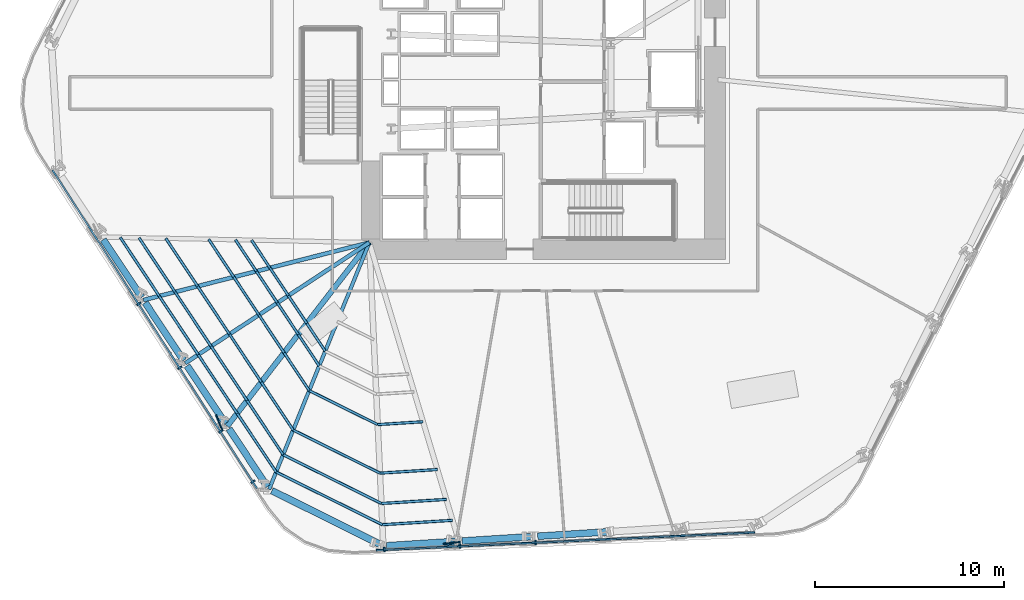
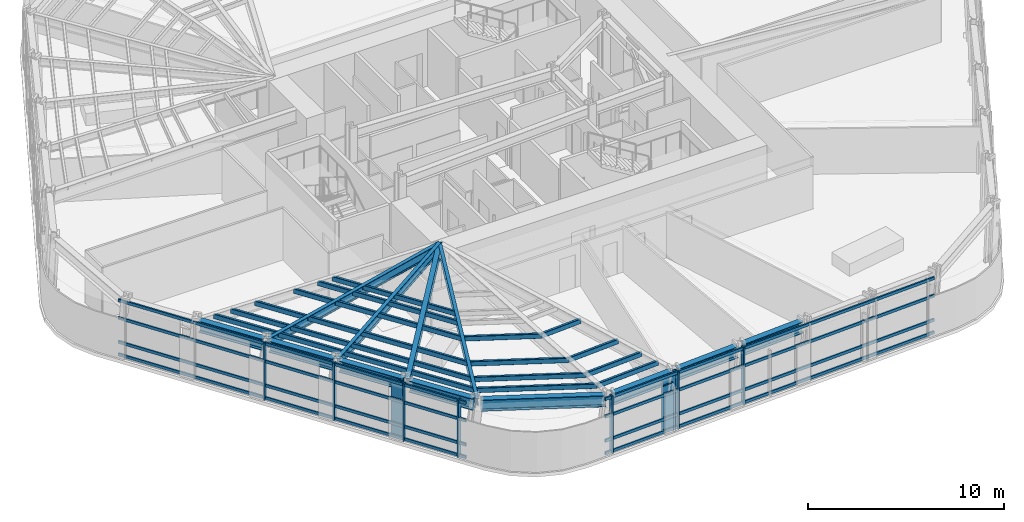
# One storey, part 2 of 15: 49 members, 12 beams, 2 elements without a shape of their own.
"""IFC4 building model written with IfcOpenShell, lengths in metres."""

from ifc_helpers import new_model, si_unit, direction, frame, origin, origin_2d, place, context, subcontext, project, spatial, rectangle, hollow_rectangle, i_section, extrude, material, layer, layer_set, material_profile, profile_set, type_object, element, aggregate, save


model = new_model("IFC4")

# Units and contexts
model_context = context("Model", 3, precision=1e-05, world=origin(), true_north=direction((0.0, 1.0)))
body_context = subcontext(model_context, "Body", "Model", "MODEL_VIEW")
ifc_project = project(units=[si_unit("LENGTHUNIT", "METRE"), si_unit("AREAUNIT", "SQUARE_METRE"), si_unit("VOLUMEUNIT", "CUBIC_METRE"), si_unit("PLANEANGLEUNIT", "RADIAN"), si_unit("MASSUNIT", "GRAM", prefix="KILO")], contexts=[model_context])

# Site, building, storey
site_placement = place(None, origin())
site = spatial("IfcSite", under=ifc_project, at=site_placement, CompositionType="ELEMENT")
building_placement = place(site_placement, origin())
building = spatial("IfcBuilding", under=site, at=building_placement, Name="Valkerne Bourse Tower", CompositionType="ELEMENT")
storey_placement = place(building_placement, frame((0.0, 0.0, 35.39990234375)))
storey = spatial("IfcBuildingStorey", under=building, at=storey_placement, Name="L08", CompositionType="ELEMENT", Elevation=35.39990234375)

# Beams
ifc_material_1 = material(Name="Steel ASTM A992", Category="steel")
ifc_material_profile_1 = material_profile(ifc_material_1, i_section(OverallWidth=0.1904296875, OverallDepth=0.457275390625, WebThickness=0.009033203125, FlangeThickness=0.014404296875, FilletRadius=0.01513671875, at=origin_2d()), Name="W18X50")
ifc_profile_set_1 = profile_set([ifc_material_profile_1], Name="Steel ASTM A992")
beam_type_1 = type_object("IfcBeamType", Name="BM-W18X50", PredefinedType="JOIST", material=ifc_profile_set_1)
beam_1_placement = place(storey_placement, frame((32.311279296875, 5.3798828125, 3.3515625), z_axis=(0.37634256362, 0.92648058523, 0.0), x_axis=(-0.92648058523, 0.37634256362, 0.0)))
element("IfcBeam", 1, at=beam_1_placement, inside=storey, type_object=beam_type_1, Name="L08 Radial Composite Floor Beam 23", PredefinedType="JOIST", context=body_context, shape_type="SweptSolid", body=[
    extrude(i_section(OverallWidth=0.1904296875, OverallDepth=0.457275390625, WebThickness=0.009033203125, FlangeThickness=0.014404296875, FilletRadius=0.01513671875, at=origin_2d()), origin(), (0.0, 0.0, 1.0), 14.05322265625),
])
ifc_material_profile_2 = material_profile(ifc_material_1, i_section(OverallWidth=0.279296875, OverallDepth=0.46240234375, WebThickness=0.0107421875, FlangeThickness=0.017333984375, FilletRadius=0.017822265625, at=origin_2d()), Name="W18X76")
ifc_profile_set_2 = profile_set([ifc_material_profile_2], Name="Steel ASTM A992")
beam_type_2 = type_object("IfcBeamType", Name="BM-W18X76", PredefinedType="BEAM", material=ifc_profile_set_2)
beam_2_placement = place(storey_placement, frame((30.10009765625, 8.708251953125, 3.348876953125), z_axis=(0.6120092399, 0.790850611859, 0.0), x_axis=(-0.790850611859, 0.6120092399, 0.0)))
element("IfcBeam", 2, at=beam_2_placement, inside=storey, type_object=beam_type_2, Name="L08 Radial Composite Floor Beam 22", PredefinedType="BEAM", context=body_context, shape_type="SweptSolid", body=[
    extrude(i_section(OverallWidth=0.279296875, OverallDepth=0.46240234375, WebThickness=0.0107421875, FlangeThickness=0.017333984375, FilletRadius=0.017822265625, at=origin_2d()), origin(), (0.0, 0.0, 1.0), 12.254638671875),
])
ifc_material_profile_3 = material_profile(ifc_material_1, i_section(OverallWidth=0.209228515625, OverallDepth=0.533447265625, WebThickness=0.01025390625, FlangeThickness=0.015625, FilletRadius=0.017822265625, at=origin_2d()), Name="W21X62")
ifc_profile_set_3 = profile_set([ifc_material_profile_3], Name="Steel ASTM A992")
beam_type_3 = type_object("IfcBeamType", Name="BM-W21X62", PredefinedType="JOIST", material=ifc_profile_set_3)
beam_3_placement = place(storey_placement, frame((27.888671875, 12.03662109375, 3.3134765625), z_axis=(0.836436532374, 0.548063798577, 0.0), x_axis=(-0.548063798577, 0.836436532374, 0.0)))
element("IfcBeam", 3, at=beam_3_placement, inside=storey, type_object=beam_type_3, Name="L08 Radial Composite Floor Beam 21", PredefinedType="JOIST", context=body_context, shape_type="SweptSolid", body=[
    extrude(i_section(OverallWidth=0.209228515625, OverallDepth=0.533447265625, WebThickness=0.01025390625, FlangeThickness=0.015625, FilletRadius=0.017822265625, at=origin_2d()), origin(), (0.0, 0.0, 1.0), 11.610595703125),
])
ifc_material_profile_4 = material_profile(ifc_material_1, i_section(OverallWidth=0.2138671875, OverallDepth=0.548583984375, WebThickness=0.0146484375, FlangeThickness=0.023681640625, FilletRadius=0.017822265625, at=origin_2d()), Name="W21X93")
ifc_profile_set_4 = profile_set([ifc_material_profile_4], Name="Steel ASTM A992")
beam_type_4 = type_object("IfcBeamType", Name="BM-W21X93", PredefinedType="BEAM", material=ifc_profile_set_4)
beam_4_placement = place(storey_placement, frame((25.677490234375, 15.364990234375, 3.305908203125), z_axis=(0.969095880119, 0.246684363382, 0.0), x_axis=(-0.246684363382, 0.969095880119, 0.0)))
element("IfcBeam", 4, at=beam_4_placement, inside=storey, type_object=beam_type_4, Name="L08 Radial Composite Floor Beam 20", PredefinedType="BEAM", context=body_context, shape_type="SweptSolid", body=[
    extrude(i_section(OverallWidth=0.2138671875, OverallDepth=0.548583984375, WebThickness=0.0146484375, FlangeThickness=0.023681640625, FilletRadius=0.017822265625, at=origin_2d()), origin(), (0.0, 0.0, 1.0), 12.302734375),
])
ifc_material_profile_5 = material_profile(ifc_material_1, i_section(OverallWidth=0.358154296875, OverallDepth=0.7060546875, WebThickness=0.018310546875, FlangeThickness=0.0302734375, FilletRadius=0.02294921875, at=origin_2d()), Name="W27X178")
ifc_profile_set_5 = profile_set([ifc_material_profile_5], Name="Steel ASTM A992")
beam_type_5 = type_object("IfcBeamType", Name="BM-W27X178", PredefinedType="SPANDREL", material=ifc_profile_set_5)
for number, where, z_axis, x_axis, name in (
    (5, (23.56005859375, 18.5517578125, 3.22705078125), (0.553389631883, -0.832922514598, 0.0), (0.832922514598, 0.553389631883, 0.0), "L08 Hexagonal Spandrel Ring Beam 19"),
    (6, (25.771484375, 15.223388671875, 3.22705078125), (0.553389631883, -0.832922514598, 0.0), (0.832922514598, 0.553389631883, 0.0), "L08 Hexagonal Spandrel Ring Beam 20"),
    (7, (27.98291015625, 11.89501953125, 3.22705078125), (0.553389631883, -0.832922514598, 0.0), (0.832922514598, 0.553389631883, 0.0), "L08 Hexagonal Spandrel Ring Beam 21"),
    (8, (30.194091796875, 8.566650390625, 3.22705078125), (0.553389631883, -0.832922514598, 0.0), (0.832922514598, 0.553389631883, 0.0), "L08 Hexagonal Spandrel Ring Beam 22"),
):
    element("IfcBeam", number, at=place(storey_placement, frame(where, z_axis=z_axis, x_axis=x_axis)), inside=storey, type_object=beam_type_5, Name=name, PredefinedType="SPANDREL", context=body_context, shape_type="SweptSolid", body=[
        extrude(i_section(OverallWidth=0.358154296875, OverallDepth=0.7060546875, WebThickness=0.018310546875, FlangeThickness=0.0302734375, FilletRadius=0.02294921875, at=origin_2d()), origin(), (0.0, 0.0, 1.0), 3.656005859375),
    ])
beam_5_placement = place(storey_placement, frame((32.463623046875, 5.30419921875, 3.22705078125), z_axis=(0.895707454028, -0.444643853885, 0.0), x_axis=(0.444643853885, 0.895707454028, 0.0)))
element("IfcBeam", 9, at=beam_5_placement, inside=storey, type_object=beam_type_5, Name="L08 Hexagonal Spandrel Ring Beam 23", PredefinedType="SPANDREL", context=body_context, shape_type="SweptSolid", body=[
    extrude(i_section(OverallWidth=0.358154296875, OverallDepth=0.7060546875, WebThickness=0.018310546875, FlangeThickness=0.0302734375, FilletRadius=0.02294921875, at=origin_2d()), origin(), (0.0, 0.0, 1.0), 6.388916015625),
])
for number, where, z_axis, x_axis, name in (
    (10, (38.50830078125, 2.398681640625, 3.22705078125), (0.998027815101, 0.062773244978, 0.0), (-0.062773244978, 0.998027815101, 0.0), "L08 Hexagonal Spandrel Ring Beam 24"),
    (11, (42.49658203125, 2.649658203125, 3.22705078125), (0.998027815101, 0.062773244978, 0.0), (-0.062773244978, 0.998027815101, 0.0), "L08 Hexagonal Spandrel Ring Beam 25"),
    (12, (46.484619140625, 2.900390625, 3.22705078125), (0.998027815101, 0.062773244978, 0.0), (-0.062773244978, 0.998027815101, 0.0), "L08 Hexagonal Spandrel Ring Beam 26"),
):
    element("IfcBeam", number, at=place(storey_placement, frame(where, z_axis=z_axis, x_axis=x_axis)), inside=storey, type_object=beam_type_5, Name=name, PredefinedType="SPANDREL", context=body_context, shape_type="SweptSolid", body=[
        extrude(i_section(OverallWidth=0.358154296875, OverallDepth=0.7060546875, WebThickness=0.018310546875, FlangeThickness=0.0302734375, FilletRadius=0.02294921875, at=origin_2d()), origin(), (0.0, 0.0, 1.0), 3.656005859375),
    ])

# Curtain wall, members
ifc_material_2 = material(Name="Aluminium AA 6063-T6", Category="aluminium")
ifc_layer = layer(ifc_material_2, 0.22509765625)
ifc_layer_set = layer_set([ifc_layer], Name="Aluminium AA 6063-T6")
curtain_wall_type = type_object("IfcCurtainWallType", Name="CW-01", PredefinedType="NOTDEFINED", material=ifc_layer_set)
curtain_wall_1_placement = place(storey_placement, origin())
curtain_wall_1 = element("IfcCurtainWall", 13, at=curtain_wall_1_placement, inside=storey, type_object=curtain_wall_type, Name="L08 Hexagonal Stick Curtain Wall Face 4", PredefinedType="NOTDEFINED")
ifc_material_profile_6 = material_profile(ifc_material_2, rectangle(XDim=0.090087890625, YDim=0.239990234375, at=origin_2d()), Name="CWM-90X240")
ifc_profile_set_6 = profile_set([ifc_material_profile_6], Name="Aluminium AA 6063-T6")
member_type_1 = type_object("IfcMemberType", Name="CW-MUL-240X90", PredefinedType="MULLION", material=ifc_profile_set_6)
member_1_placement = place(storey_placement, frame((25.43798828125, 15.1611328125, 0.0), z_axis=(0.0, 0.0, 1.0), x_axis=(0.540237656625, -0.841512492102, 0.0)))
member_1 = element("IfcMember", 14, at=member_1_placement, type_object=member_type_1, Name="CW-L08-F4 Jamb Mullion 02A", PredefinedType="MULLION", context=body_context, shape_type="SweptSolid", body=[
    extrude(rectangle(XDim=0.090087890625, YDim=0.239990234375, at=origin_2d()), origin(), (0.0, 0.0, 1.0), 3.580078125),
])
member_2_placement = place(storey_placement, frame((27.5966796875, 11.79833984375, 0.0), z_axis=(0.0, 0.0, 1.0), x_axis=(0.540237656625, -0.841512492102, 0.0)))
member_2 = element("IfcMember", 15, at=member_2_placement, type_object=member_type_1, Name="CW-L08-F4 Jamb Mullion 03A", PredefinedType="MULLION", context=body_context, shape_type="SweptSolid", body=[
    extrude(rectangle(XDim=0.090087890625, YDim=0.239990234375, at=origin_2d()), origin(), (0.0, 0.0, 1.0), 3.580078125),
])
member_3_placement = place(storey_placement, frame((29.755615234375, 8.435791015625, 0.0), z_axis=(0.0, 0.0, 1.0), x_axis=(0.540237656625, -0.841512492102, 0.0)))
member_3 = element("IfcMember", 16, at=member_3_placement, type_object=member_type_1, Name="CW-L08-F4 Jamb Mullion 04A", PredefinedType="MULLION", context=body_context, shape_type="SweptSolid", body=[
    extrude(rectangle(XDim=0.090087890625, YDim=0.239990234375, at=origin_2d()), origin(), (0.0, 0.0, 1.0), 3.580078125),
])
member_4_placement = place(storey_placement, frame((31.460693359375, 5.77978515625, 0.0), z_axis=(0.0, 0.0, 1.0), x_axis=(0.540237656625, -0.841512492102, 0.0)))
member_4 = element("IfcMember", 17, at=member_4_placement, type_object=member_type_1, Name="CW-L08-F4 Jamb Mullion 04B", PredefinedType="MULLION", context=body_context, shape_type="SweptSolid", body=[
    extrude(rectangle(XDim=0.090087890625, YDim=0.239990234375, at=origin_2d()), origin(), (0.0, 0.0, 1.0), 3.580078125),
])

curtain_wall_2_placement = place(storey_placement, origin())
curtain_wall_2 = element("IfcCurtainWall", 18, at=curtain_wall_2_placement, inside=storey, type_object=curtain_wall_type, Name="L08 Hexagonal Stick Curtain Wall Face 5", PredefinedType="NOTDEFINED")
member_5_placement = place(storey_placement, frame((38.388671875, 2.2041015625, 0.0), z_axis=(0.0, 0.0, 1.0), x_axis=(0.998890279552, 0.047097870623, 0.0)))
member_5 = element("IfcMember", 19, at=member_5_placement, type_object=member_type_1, Name="CW-L08-F5 Jamb Mullion 00A", PredefinedType="MULLION", context=body_context, shape_type="SweptSolid", body=[
    extrude(rectangle(XDim=0.090087890625, YDim=0.239990234375, at=origin_2d()), origin(), (0.0, 0.0, 1.0), 3.580078125),
])
member_6_placement = place(storey_placement, frame((42.38037109375, 2.392333984375, 0.0), z_axis=(0.0, 0.0, 1.0), x_axis=(0.998889157472, 0.047121662581, 0.0)))
member_6 = element("IfcMember", 20, at=member_6_placement, type_object=member_type_1, Name="CW-L08-F5 Jamb Mullion 01A", PredefinedType="MULLION", context=body_context, shape_type="SweptSolid", body=[
    extrude(rectangle(XDim=0.090087890625, YDim=0.239990234375, at=origin_2d()), origin(), (0.0, 0.0, 1.0), 3.580078125),
])
member_7_placement = place(storey_placement, frame((46.371826171875, 2.58056640625, 0.0), z_axis=(0.0, 0.0, 1.0), x_axis=(0.998890335061, 0.047096693327, 0.0)))
member_7 = element("IfcMember", 21, at=member_7_placement, type_object=member_type_1, Name="CW-L08-F5 Jamb Mullion 02A", PredefinedType="MULLION", context=body_context, shape_type="SweptSolid", body=[
    extrude(rectangle(XDim=0.090087890625, YDim=0.239990234375, at=origin_2d()), origin(), (0.0, 0.0, 1.0), 3.580078125),
])

# Member
ifc_material_profile_7 = material_profile(ifc_material_2, rectangle(XDim=0.090087890625, YDim=0.179931640625, at=origin_2d()), Name="CWT-90X180")
ifc_profile_set_7 = profile_set([ifc_material_profile_7], Name="Aluminium AA 6063-T6")
member_type_2 = type_object("IfcMemberType", Name="CW-TRN-180X90", PredefinedType="USERDEFINED", material=ifc_profile_set_7)
member_8_placement = place(storey_placement, frame((20.876708984375, 22.22900390625, 0.1201171875), z_axis=(0.540236251651, -0.841513394072, 0.0), x_axis=(0.841513394072, 0.540236251651, 0.0)))
member_8 = element("IfcMember", 22, at=member_8_placement, type_object=member_type_2, Name="CW-L08-F4 Continuous Face Transom 1", ObjectType="TRANSOM", PredefinedType="USERDEFINED", context=body_context, shape_type="SweptSolid", body=[
    extrude(rectangle(XDim=0.090087890625, YDim=0.179931640625, at=origin_2d()), origin(), (0.0, 0.0, 1.0), 19.97998046875),
])

member_9_placement = place(storey_placement, frame((20.876708984375, 22.22900390625, 0.900146484375), z_axis=(0.540236251651, -0.841513394072, 0.0), x_axis=(0.841513394072, 0.540236251651, 0.0)))
member_9 = element("IfcMember", 23, at=member_9_placement, type_object=member_type_2, Name="CW-L08-F4 Continuous Face Transom 2", ObjectType="TRANSOM", PredefinedType="USERDEFINED", context=body_context, shape_type="SweptSolid", body=[
    extrude(rectangle(XDim=0.090087890625, YDim=0.179931640625, at=origin_2d()), origin(), (0.0, 0.0, 1.0), 19.97998046875),
])

member_10_placement = place(storey_placement, frame((20.876708984375, 22.22900390625, 2.400146484375), z_axis=(0.540236251651, -0.841513394072, 0.0), x_axis=(0.841513394072, 0.540236251651, 0.0)))
member_10 = element("IfcMember", 24, at=member_10_placement, type_object=member_type_2, Name="CW-L08-F4 Continuous Face Transom 3", ObjectType="TRANSOM", PredefinedType="USERDEFINED", context=body_context, shape_type="SweptSolid", body=[
    extrude(rectangle(XDim=0.090087890625, YDim=0.179931640625, at=origin_2d()), origin(), (0.0, 0.0, 1.0), 19.97998046875),
])

member_11_placement = place(storey_placement, frame((20.876708984375, 22.22900390625, 3.5), z_axis=(0.540236251651, -0.841513394072, 0.0), x_axis=(0.841513394072, 0.540236251651, 0.0)))
member_11 = element("IfcMember", 25, at=member_11_placement, type_object=member_type_2, Name="CW-L08-F4 Continuous Face Transom 4", ObjectType="TRANSOM", PredefinedType="USERDEFINED", context=body_context, shape_type="SweptSolid", body=[
    extrude(rectangle(XDim=0.090087890625, YDim=0.179931640625, at=origin_2d()), origin(), (0.0, 0.0, 1.0), 19.97998046875),
])

aggregate(curtain_wall_1, [member_8, member_9, member_10, member_11, member_1, member_2, member_3, member_4])

member_12_placement = place(storey_placement, frame((37.97021484375, 2.164306640625, 0.1201171875), z_axis=(0.998889927087, 0.047105345382, 0.0), x_axis=(-0.047105345382, 0.998889927087, 0.0)))
member_12 = element("IfcMember", 26, at=member_12_placement, type_object=member_type_2, Name="CW-L08-F5 Continuous Face Transom 1", ObjectType="TRANSOM", PredefinedType="USERDEFINED", context=body_context, shape_type="SweptSolid", body=[
    extrude(rectangle(XDim=0.090087890625, YDim=0.179931640625, at=origin_2d()), origin(), (0.0, 0.0, 1.0), 19.97998046875),
])

member_13_placement = place(storey_placement, frame((37.97021484375, 2.164306640625, 0.900146484375), z_axis=(0.998889927087, 0.047105345382, 0.0), x_axis=(-0.047105345382, 0.998889927087, 0.0)))
member_13 = element("IfcMember", 27, at=member_13_placement, type_object=member_type_2, Name="CW-L08-F5 Continuous Face Transom 2", ObjectType="TRANSOM", PredefinedType="USERDEFINED", context=body_context, shape_type="SweptSolid", body=[
    extrude(rectangle(XDim=0.090087890625, YDim=0.179931640625, at=origin_2d()), origin(), (0.0, 0.0, 1.0), 19.97998046875),
])

member_14_placement = place(storey_placement, frame((37.97021484375, 2.164306640625, 2.400146484375), z_axis=(0.998889927087, 0.047105345382, 0.0), x_axis=(-0.047105345382, 0.998889927087, 0.0)))
member_14 = element("IfcMember", 28, at=member_14_placement, type_object=member_type_2, Name="CW-L08-F5 Continuous Face Transom 3", ObjectType="TRANSOM", PredefinedType="USERDEFINED", context=body_context, shape_type="SweptSolid", body=[
    extrude(rectangle(XDim=0.090087890625, YDim=0.179931640625, at=origin_2d()), origin(), (0.0, 0.0, 1.0), 19.97998046875),
])

member_15_placement = place(storey_placement, frame((37.97021484375, 2.164306640625, 3.5), z_axis=(0.998889927087, 0.047105345382, 0.0), x_axis=(-0.047105345382, 0.998889927087, 0.0)))
member_15 = element("IfcMember", 29, at=member_15_placement, type_object=member_type_2, Name="CW-L08-F5 Continuous Face Transom 4", ObjectType="TRANSOM", PredefinedType="USERDEFINED", context=body_context, shape_type="SweptSolid", body=[
    extrude(rectangle(XDim=0.090087890625, YDim=0.179931640625, at=origin_2d()), origin(), (0.0, 0.0, 1.0), 19.97998046875),
])

aggregate(curtain_wall_2, [member_12, member_13, member_14, member_15, member_5, member_6, member_7])

# Members
ifc_material_3 = material(Name="Bronze Anodised Aluminium AA 6063-T6", Category="aluminium")
ifc_material_profile_8 = material_profile(ifc_material_3, rectangle(XDim=0.070068359375, YDim=0.89990234375, at=origin_2d()), Name="FIN-70X900")
ifc_profile_set_8 = profile_set([ifc_material_profile_8], Name="Bronze Anodised Aluminium AA 6063-T6")
member_type_3 = type_object("IfcMemberType", Name="FIN-SOLAR-900", PredefinedType="USERDEFINED", material=ifc_profile_set_8)
for number, where, z_axis, x_axis, name in (
    (30, (29.68017578125, 8.886474609375, 0.004150390625), (0.0, 0.0, 1.0), (-0.922210455486, -0.386688344525, 0.0), "L08 Bronze Anodised Solar Fin F4-04"),
    (31, (41.9521484375, 2.55224609375, 0.004150390625), (0.0, 0.0, 1.0), (0.108930894367, -0.994049324859, 0.0), "L08 Bronze Anodised Solar Fin F5-01"),
):
    element("IfcMember", number, at=place(storey_placement, frame(where, z_axis=z_axis, x_axis=x_axis)), inside=storey, type_object=member_type_3, Name=name, ObjectType="SOLAR_FIN", PredefinedType="USERDEFINED", context=body_context, shape_type="SweptSolid", body=[
        extrude(rectangle(XDim=0.070068359375, YDim=0.89990234375, at=origin_2d()), origin(), (0.0, 0.0, 1.0), 3.572021484375),
    ])
ifc_material_4 = material(Name="Steel ASTM A500 Grade C", Category="steel")
ifc_material_profile_9 = material_profile(ifc_material_4, hollow_rectangle(XDim=0.14990234375, YDim=0.300048828125, WallThickness=0.012451171875, OuterFilletRadius=0.02490234375, at=origin_2d()), Name="HSS300X150X12.5")
ifc_profile_set_9 = profile_set([ifc_material_profile_9], Name="Steel ASTM A500 Grade C")
member_type_4 = type_object("IfcMemberType", Name="MBR-HSS300X150X12.5", PredefinedType="PURLIN", material=ifc_profile_set_9)
member_16_placement = place(storey_placement, frame((31.381103515625, 18.529052734375, 3.420166015625), z_axis=(0.553385607714, -0.832925188222, 0.0), x_axis=(0.832925188222, 0.553385607714, 0.0)))
element("IfcMember", 32, at=member_16_placement, inside=storey, type_object=member_type_4, Name="L08 Secondary Composite Floor Purlin K-19", PredefinedType="PURLIN", context=body_context, shape_type="SweptSolid", body=[
    extrude(hollow_rectangle(XDim=0.14990234375, YDim=0.300048828125, WallThickness=0.012451171875, OuterFilletRadius=0.02490234375, at=origin_2d()), origin(), (0.0, 0.0, 1.0), 1.758056640625),
])
for number, where, z_axis, x_axis, name in (
    (33, (32.35400390625, 17.064697265625, 3.420166015625), (0.553321605611, -0.832967706916, 0.0), (0.832967706916, 0.553321605611, 0.0), "L08 Secondary Composite Floor Purlin K-20"),
    (34, (33.326904296875, 15.60009765625, 3.420166015625), (0.553481937692, -0.832861179698, 0.0), (0.832861179698, 0.553481937692, 0.0), "L08 Secondary Composite Floor Purlin K-21"),
    (35, (34.300048828125, 14.1357421875, 3.420166015625), (0.553321605611, -0.832967706916, 0.0), (0.832967706916, 0.553321605611, 0.0), "L08 Secondary Composite Floor Purlin K-22"),
):
    element("IfcMember", number, at=place(storey_placement, frame(where, z_axis=z_axis, x_axis=x_axis)), inside=storey, type_object=member_type_4, Name=name, PredefinedType="PURLIN", context=body_context, shape_type="SweptSolid", body=[
        extrude(hollow_rectangle(XDim=0.14990234375, YDim=0.300048828125, WallThickness=0.012451171875, OuterFilletRadius=0.02490234375, at=origin_2d()), origin(), (0.0, 0.0, 1.0), 1.75830078125),
    ])
for number, where, z_axis, x_axis, name in (
    (36, (30.532958984375, 18.546630859375, 3.420166015625), (0.553430581427, -0.832895306471, 0.0), (0.832895306471, 0.553430581427, 0.0), "L08 Secondary Composite Floor Purlin M-19"),
    (37, (31.638671875, 16.882568359375, 3.420166015625), (0.553374259182, -0.832932727941, 0.0), (0.832932727941, 0.553374259182, 0.0), "L08 Secondary Composite Floor Purlin M-20"),
    (38, (32.744384765625, 15.21826171875, 3.420166015625), (0.553430581427, -0.832895306471, 0.0), (0.832895306471, 0.553430581427, 0.0), "L08 Secondary Composite Floor Purlin M-21"),
    (39, (33.85009765625, 13.55419921875, 3.420166015625), (0.553374259182, -0.832932727941, 0.0), (0.832932727941, 0.553374259182, 0.0), "L08 Secondary Composite Floor Purlin M-22"),
):
    element("IfcMember", number, at=place(storey_placement, frame(where, z_axis=z_axis, x_axis=x_axis)), inside=storey, type_object=member_type_4, Name=name, PredefinedType="PURLIN", context=body_context, shape_type="SweptSolid", body=[
        extrude(hollow_rectangle(XDim=0.14990234375, YDim=0.300048828125, WallThickness=0.012451171875, OuterFilletRadius=0.02490234375, at=origin_2d()), origin(), (0.0, 0.0, 1.0), 1.998046875),
    ])
member_17_placement = place(storey_placement, frame((26.858154296875, 18.622802734375, 3.420166015625), z_axis=(0.553437978272, -0.832890391472, 0.0), x_axis=(0.832890391472, 0.553437978272, 0.0)))
element("IfcMember", 40, at=member_17_placement, inside=storey, type_object=member_type_4, Name="L08 Secondary Composite Floor Purlin O-19", PredefinedType="PURLIN", context=body_context, shape_type="SweptSolid", body=[
    extrude(hollow_rectangle(XDim=0.14990234375, YDim=0.300048828125, WallThickness=0.012451171875, OuterFilletRadius=0.02490234375, at=origin_2d()), origin(), (0.0, 0.0, 1.0), 3.036865234375),
])
member_18_placement = place(storey_placement, frame((28.538818359375, 16.093505859375, 3.420166015625), z_axis=(0.553363869506, -0.832939630421, 0.0), x_axis=(0.832939630421, 0.553363869506, 0.0)))
element("IfcMember", 41, at=member_18_placement, inside=storey, type_object=member_type_4, Name="L08 Secondary Composite Floor Purlin O-20", PredefinedType="PURLIN", context=body_context, shape_type="SweptSolid", body=[
    extrude(hollow_rectangle(XDim=0.14990234375, YDim=0.300048828125, WallThickness=0.012451171875, OuterFilletRadius=0.02490234375, at=origin_2d()), origin(), (0.0, 0.0, 1.0), 3.037109375),
])
for number, where, z_axis, x_axis, name in (
    (42, (30.219482421875, 13.563720703125, 3.420166015625), (0.553400921955, -0.832915013419, 0.0), (0.832915013419, 0.553400921955, 0.0), "L08 Secondary Composite Floor Purlin O-21"),
    (43, (31.900146484375, 11.0341796875, 3.420166015625), (0.553400921955, -0.832915013419, 0.0), (0.832915013419, 0.553400921955, 0.0), "L08 Secondary Composite Floor Purlin O-22"),
):
    element("IfcMember", number, at=place(storey_placement, frame(where, z_axis=z_axis, x_axis=x_axis)), inside=storey, type_object=member_type_4, Name=name, PredefinedType="PURLIN", context=body_context, shape_type="SweptSolid", body=[
        extrude(hollow_rectangle(XDim=0.14990234375, YDim=0.300048828125, WallThickness=0.012451171875, OuterFilletRadius=0.02490234375, at=origin_2d()), origin(), (0.0, 0.0, 1.0), 3.036865234375),
    ])
member_19_placement = place(storey_placement, frame((33.580810546875, 8.504638671875, 3.420166015625), z_axis=(0.895702969898, -0.444652886773, 0.0), x_axis=(0.444652886773, 0.895702969898, 0.0)))
element("IfcMember", 44, at=member_19_placement, inside=storey, type_object=member_type_4, Name="L08 Secondary Composite Floor Purlin O-23", PredefinedType="PURLIN", context=body_context, shape_type="SweptSolid", body=[
    extrude(hollow_rectangle(XDim=0.14990234375, YDim=0.300048828125, WallThickness=0.012451171875, OuterFilletRadius=0.02490234375, at=origin_2d()), origin(), (0.0, 0.0, 1.0), 5.114013671875),
])
member_20_placement = place(storey_placement, frame((38.161376953125, 6.230712890625, 3.420166015625), z_axis=(0.998022119267, 0.062863737194, 0.0), x_axis=(-0.062863737194, 0.998022119267, 0.0)))
element("IfcMember", 45, at=member_20_placement, inside=storey, type_object=member_type_4, Name="L08 Secondary Composite Floor Purlin O-24", PredefinedType="PURLIN", context=body_context, shape_type="SweptSolid", body=[
    extrude(hollow_rectangle(XDim=0.14990234375, YDim=0.300048828125, WallThickness=0.012451171875, OuterFilletRadius=0.02490234375, at=origin_2d()), origin(), (0.0, 0.0, 1.0), 3.037109375),
])
member_21_placement = place(storey_placement, frame((29.11962890625, 18.575927734375, 3.420166015625), z_axis=(0.553383452137, -0.832926620358, 0.0), x_axis=(0.832926620358, 0.553383452137, 0.0)))
element("IfcMember", 46, at=member_21_placement, inside=storey, type_object=member_type_4, Name="L08 Secondary Composite Floor Purlin Z-19", PredefinedType="PURLIN", context=body_context, shape_type="SweptSolid", body=[
    extrude(hollow_rectangle(XDim=0.14990234375, YDim=0.300048828125, WallThickness=0.012451171875, OuterFilletRadius=0.02490234375, at=origin_2d()), origin(), (0.0, 0.0, 1.0), 2.3974609375),
])
for number, where, z_axis, x_axis, name in (
    (47, (30.4462890625, 16.5791015625, 3.420166015625), (0.553407160236, -0.83291086858, 0.0), (0.83291086858, 0.553407160236, 0.0), "L08 Secondary Composite Floor Purlin Z-20"),
    (48, (31.773193359375, 14.58203125, 3.420166015625), (0.553407160236, -0.83291086858, 0.0), (0.83291086858, 0.553407160236, 0.0), "L08 Secondary Composite Floor Purlin Z-21"),
):
    element("IfcMember", number, at=place(storey_placement, frame(where, z_axis=z_axis, x_axis=x_axis)), inside=storey, type_object=member_type_4, Name=name, PredefinedType="PURLIN", context=body_context, shape_type="SweptSolid", body=[
        extrude(hollow_rectangle(XDim=0.14990234375, YDim=0.300048828125, WallThickness=0.012451171875, OuterFilletRadius=0.02490234375, at=origin_2d()), origin(), (0.0, 0.0, 1.0), 2.397705078125),
    ])
member_22_placement = place(storey_placement, frame((33.10009765625, 12.5849609375, 3.420166015625), z_axis=(0.553336515633, -0.832957802333, 0.0), x_axis=(0.832957802333, 0.553336515633, 0.0)))
element("IfcMember", 49, at=member_22_placement, inside=storey, type_object=member_type_4, Name="L08 Secondary Composite Floor Purlin Z-22", PredefinedType="PURLIN", context=body_context, shape_type="SweptSolid", body=[
    extrude(hollow_rectangle(XDim=0.14990234375, YDim=0.300048828125, WallThickness=0.012451171875, OuterFilletRadius=0.02490234375, at=origin_2d()), origin(), (0.0, 0.0, 1.0), 2.3974609375),
])
member_23_placement = place(storey_placement, frame((34.4267578125, 10.587890625, 3.420166015625), z_axis=(0.895717469112, -0.444623678551, 0.0), x_axis=(0.444623678551, 0.895717469112, 0.0)))
element("IfcMember", 50, at=member_23_placement, inside=storey, type_object=member_type_4, Name="L08 Secondary Composite Floor Purlin Z-23", PredefinedType="PURLIN", context=body_context, shape_type="SweptSolid", body=[
    extrude(hollow_rectangle(XDim=0.14990234375, YDim=0.300048828125, WallThickness=0.012451171875, OuterFilletRadius=0.02490234375, at=origin_2d()), origin(), (0.0, 0.0, 1.0), 4.03759765625),
])
member_24_placement = place(storey_placement, frame((38.043212890625, 8.792724609375, 3.420166015625), z_axis=(0.998024345287, 0.062828387006, 0.0), x_axis=(-0.062828387006, 0.998024345287, 0.0)))
element("IfcMember", 51, at=member_24_placement, inside=storey, type_object=member_type_4, Name="L08 Secondary Composite Floor Purlin Z-24", PredefinedType="PURLIN", context=body_context, shape_type="SweptSolid", body=[
    extrude(hollow_rectangle(XDim=0.14990234375, YDim=0.300048828125, WallThickness=0.012451171875, OuterFilletRadius=0.02490234375, at=origin_2d()), origin(), (0.0, 0.0, 1.0), 2.3974609375),
])
for number, where, z_axis, x_axis, name in (
    (52, (25.44482421875, 18.652099609375, 3.420166015625), (0.55342077681, -0.832901821222, 0.0), (0.832901821222, 0.55342077681, 0.0), "L08 Secondary Composite Floor Purlin T-19"),
    (53, (27.3466796875, 15.789794921875, 3.420166015625), (0.55337148994, -0.832934567731, 0.0), (0.832934567731, 0.55337148994, 0.0), "L08 Secondary Composite Floor Purlin T-20"),
    (54, (29.248291015625, 12.927490234375, 3.420166015625), (0.55342077681, -0.832901821222, 0.0), (0.832901821222, 0.55342077681, 0.0), "L08 Secondary Composite Floor Purlin T-21"),
    (55, (31.150146484375, 10.065185546875, 3.420166015625), (0.553338745112, -0.832956321279, 0.0), (0.832956321279, 0.553338745112, 0.0), "L08 Secondary Composite Floor Purlin T-22"),
):
    element("IfcMember", number, at=place(storey_placement, frame(where, z_axis=z_axis, x_axis=x_axis)), inside=storey, type_object=member_type_4, Name=name, PredefinedType="PURLIN", context=body_context, shape_type="SweptSolid", body=[
        extrude(hollow_rectangle(XDim=0.14990234375, YDim=0.300048828125, WallThickness=0.012451171875, OuterFilletRadius=0.02490234375, at=origin_2d()), origin(), (0.0, 0.0, 1.0), 3.4365234375),
    ])
member_25_placement = place(storey_placement, frame((33.0517578125, 7.20263671875, 3.420166015625), z_axis=(0.895722787479, -0.444612964263, 0.0), x_axis=(0.444612964263, 0.895722787479, 0.0)))
element("IfcMember", 56, at=member_25_placement, inside=storey, type_object=member_type_4, Name="L08 Secondary Composite Floor Purlin T-23", PredefinedType="PURLIN", context=body_context, shape_type="SweptSolid", body=[
    extrude(hollow_rectangle(XDim=0.14990234375, YDim=0.300048828125, WallThickness=0.012451171875, OuterFilletRadius=0.02490234375, at=origin_2d()), origin(), (0.0, 0.0, 1.0), 5.787109375),
])
member_26_placement = place(storey_placement, frame((38.2353515625, 4.629638671875, 3.420166015625), z_axis=(0.99802595033, 0.062802885827, 0.0), x_axis=(-0.062802885827, 0.99802595033, 0.0)))
element("IfcMember", 57, at=member_26_placement, inside=storey, type_object=member_type_4, Name="L08 Secondary Composite Floor Purlin T-24", PredefinedType="PURLIN", context=body_context, shape_type="SweptSolid", body=[
    extrude(hollow_rectangle(XDim=0.14990234375, YDim=0.300048828125, WallThickness=0.012451171875, OuterFilletRadius=0.02490234375, at=origin_2d()), origin(), (0.0, 0.0, 1.0), 3.4365234375),
])
for number, where, z_axis, x_axis, name in (
    (58, (24.455322265625, 18.6728515625, 3.420166015625), (0.553395766753, -0.832918438588, 0.0), (0.832918438588, 0.553395766753, 0.0), "L08 Secondary Composite Floor Purlin U-19"),
    (59, (26.511962890625, 15.577392578125, 3.420166015625), (0.553395766753, -0.832918438588, 0.0), (0.832918438588, 0.553395766753, 0.0), "L08 Secondary Composite Floor Purlin U-20"),
):
    element("IfcMember", number, at=place(storey_placement, frame(where, z_axis=z_axis, x_axis=x_axis)), inside=storey, type_object=member_type_4, Name=name, PredefinedType="PURLIN", context=body_context, shape_type="SweptSolid", body=[
        extrude(hollow_rectangle(XDim=0.14990234375, YDim=0.300048828125, WallThickness=0.012451171875, OuterFilletRadius=0.02490234375, at=origin_2d()), origin(), (0.0, 0.0, 1.0), 3.71630859375),
    ])
member_27_placement = place(storey_placement, frame((28.568603515625, 12.48193359375, 3.420166015625), z_axis=(0.553380470707, -0.832928601166, 0.0), x_axis=(0.832928601166, 0.553380470707, 0.0)))
element("IfcMember", 60, at=member_27_placement, inside=storey, type_object=member_type_4, Name="L08 Secondary Composite Floor Purlin U-21", PredefinedType="PURLIN", context=body_context, shape_type="SweptSolid", body=[
    extrude(hollow_rectangle(XDim=0.14990234375, YDim=0.300048828125, WallThickness=0.012451171875, OuterFilletRadius=0.02490234375, at=origin_2d()), origin(), (0.0, 0.0, 1.0), 3.716064453125),
])
member_28_placement = place(storey_placement, frame((30.625, 9.38671875, 3.420166015625), z_axis=(0.553395766753, -0.832918438588, 0.0), x_axis=(0.832918438588, 0.553395766753, 0.0)))
element("IfcMember", 61, at=member_28_placement, inside=storey, type_object=member_type_4, Name="L08 Secondary Composite Floor Purlin U-22", PredefinedType="PURLIN", context=body_context, shape_type="SweptSolid", body=[
    extrude(hollow_rectangle(XDim=0.14990234375, YDim=0.300048828125, WallThickness=0.012451171875, OuterFilletRadius=0.02490234375, at=origin_2d()), origin(), (0.0, 0.0, 1.0), 3.71630859375),
])
member_29_placement = place(storey_placement, frame((32.681640625, 6.291259765625, 3.420166015625), z_axis=(0.89571864279, -0.444621314106, 0.0), x_axis=(0.444621314106, 0.89571864279, 0.0)))
element("IfcMember", 62, at=member_29_placement, inside=storey, type_object=member_type_4, Name="L08 Secondary Composite Floor Purlin U-23", PredefinedType="PURLIN", context=body_context, shape_type="SweptSolid", body=[
    extrude(hollow_rectangle(XDim=0.14990234375, YDim=0.300048828125, WallThickness=0.012451171875, OuterFilletRadius=0.02490234375, at=origin_2d()), origin(), (0.0, 0.0, 1.0), 6.258056640625),
])
member_30_placement = place(storey_placement, frame((38.287109375, 3.5087890625, 3.420166015625), z_axis=(0.998025644289, 0.062807749058, 0.0), x_axis=(-0.062807749058, 0.998025644289, 0.0)))
element("IfcMember", 63, at=member_30_placement, inside=storey, type_object=member_type_4, Name="L08 Secondary Composite Floor Purlin U-24", PredefinedType="PURLIN", context=body_context, shape_type="SweptSolid", body=[
    extrude(hollow_rectangle(XDim=0.14990234375, YDim=0.300048828125, WallThickness=0.012451171875, OuterFilletRadius=0.02490234375, at=origin_2d()), origin(), (0.0, 0.0, 1.0), 3.716064453125),
])

save(model, "model.ifc")
